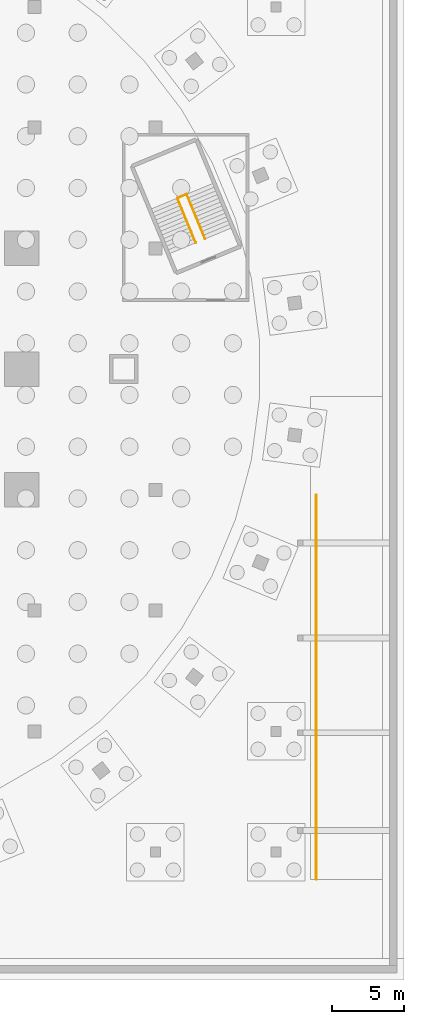
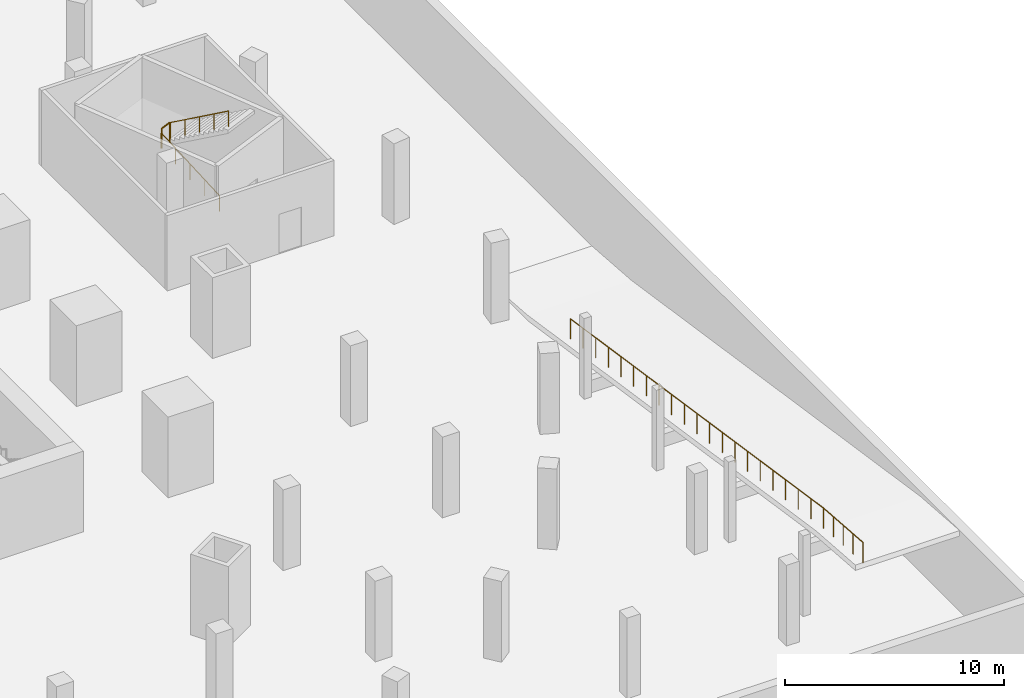
# One storey, part 11 of 12: 4 railings.
"""IFC4 building model written with IfcOpenShell, lengths in metres."""

from ifc_helpers import new_model, si_unit, direction, frame, origin, origin_2d, place, context, subcontext, project, spatial, circle, extrude, material, type_object, element, save


model = new_model("IFC4")

# Units and contexts
model_context = context("Model", 3, precision=1e-05, world=origin(), true_north=direction((0.0, 1.0)))
body_context = subcontext(model_context, "Body", "Model", "MODEL_VIEW")
ifc_project = project(units=[si_unit("LENGTHUNIT", "METRE"), si_unit("AREAUNIT", "SQUARE_METRE"), si_unit("VOLUMEUNIT", "CUBIC_METRE"), si_unit("PLANEANGLEUNIT", "RADIAN"), si_unit("MASSUNIT", "GRAM", prefix="KILO")], contexts=[model_context])

# Site, building, storey
site_placement = place(None, origin())
site = spatial("IfcSite", under=ifc_project, at=site_placement, CompositionType="ELEMENT")
building_placement = place(site_placement, origin())
building = spatial("IfcBuilding", under=site, at=building_placement, Name="Golbaran Civic Tower", CompositionType="ELEMENT")
storey_placement = place(building_placement, frame((0.0, 0.0, -13.5)))
storey = spatial("IfcBuildingStorey", under=building, at=storey_placement, Name="B3", CompositionType="ELEMENT", Elevation=-13.5)

# Railings
ifc_material_1 = material(Name="Galvanised steel guard and kerb", Category="steel")
railing_type_1 = type_object("IfcRailingType", Name="RAMP GUARD 1150", PredefinedType="GUARDRAIL", material=ifc_material_1)
railing_1_placement = place(storey_placement, frame((36.39990234375, -35.5, 4.5)))
element("IfcRailing", 1, at=railing_1_placement, inside=storey, type_object=railing_type_1, Name="Car ramp guard B2 to B3", PredefinedType="GUARDRAIL", context=body_context, shape_type="SweptSolid", body=[
    extrude(circle(Radius=0.02392578125, at=origin_2d()), frame((0.0, 0.0, 1.1259765625), z_axis=(0.0, 0.997199057707, -0.074793310581), x_axis=(-1.0, 0.0, 0.0)), (0.0, 0.0, 1.0), 3.610107421875),
    extrude(circle(Radius=0.02392578125, at=origin_2d()), frame((0.0, 3.60009765625, 0.85595703125), z_axis=(0.0, 0.988936505976, -0.148339432208), x_axis=(-1.0, 0.0, 0.0)), (0.0, 0.0, 1.0), 23.39208984375),
    extrude(circle(Radius=0.02099609375, at=origin_2d()), origin(), (0.0, 0.0, 1.0), 1.101806640625),
    extrude(circle(Radius=0.02099609375, at=origin_2d()), frame((0.0, 0.89990234375, -0.0673828125)), (0.0, 0.0, 1.0), 1.101806640625),
    extrude(circle(Radius=0.02099609375, at=origin_2d()), frame((0.0, 1.800048828125, -0.135009765625)), (0.0, 0.0, 1.0), 1.101806640625),
    extrude(circle(Radius=0.02099609375, at=origin_2d()), frame((0.0, 2.7001953125, -0.20263671875)), (0.0, 0.0, 1.0), 1.101806640625),
    extrude(circle(Radius=0.02099609375, at=origin_2d()), frame((0.0, 3.60009765625, -0.27001953125)), (0.0, 0.0, 1.0), 1.101806640625),
    extrude(circle(Radius=0.02099609375, at=origin_2d()), frame((0.0, 4.7568359375, -0.443603515625)), (0.0, 0.0, 1.0), 1.101806640625),
    extrude(circle(Radius=0.02099609375, at=origin_2d()), frame((0.0, 5.913330078125, -0.616943359375)), (0.0, 0.0, 1.0), 1.101806640625),
    extrude(circle(Radius=0.02099609375, at=origin_2d()), frame((0.0, 7.070068359375, -0.79052734375)), (0.0, 0.0, 1.0), 1.101806640625),
    extrude(circle(Radius=0.02099609375, at=origin_2d()), frame((0.0, 8.226806640625, -0.964111328125)), (0.0, 0.0, 1.0), 1.101806640625),
    extrude(circle(Radius=0.02099609375, at=origin_2d()), frame((0.0, 9.38330078125, -1.137451171875)), (0.0, 0.0, 1.0), 1.101806640625),
    extrude(circle(Radius=0.02099609375, at=origin_2d()), frame((0.0, 10.5400390625, -1.31103515625)), (0.0, 0.0, 1.0), 1.101806640625),
    extrude(circle(Radius=0.02099609375, at=origin_2d()), frame((0.0, 11.69677734375, -1.484619140625)), (0.0, 0.0, 1.0), 1.101806640625),
    extrude(circle(Radius=0.02099609375, at=origin_2d()), frame((0.0, 12.853515625, -1.657958984375)), (0.0, 0.0, 1.0), 1.101806640625),
    extrude(circle(Radius=0.02099609375, at=origin_2d()), frame((0.0, 14.010009765625, -1.83154296875)), (0.0, 0.0, 1.0), 1.101806640625),
    extrude(circle(Radius=0.02099609375, at=origin_2d()), frame((0.0, 15.166748046875, -2.0048828125)), (0.0, 0.0, 1.0), 1.101806640625),
    extrude(circle(Radius=0.02099609375, at=origin_2d()), frame((0.0, 16.323486328125, -2.178466796875)), (0.0, 0.0, 1.0), 1.101806640625),
    extrude(circle(Radius=0.02099609375, at=origin_2d()), frame((0.0, 17.47998046875, -2.35205078125)), (0.0, 0.0, 1.0), 1.101806640625),
    extrude(circle(Radius=0.02099609375, at=origin_2d()), frame((0.0, 18.63671875, -2.525390625)), (0.0, 0.0, 1.0), 1.101806640625),
    extrude(circle(Radius=0.02099609375, at=origin_2d()), frame((0.0, 19.79345703125, -2.698974609375)), (0.0, 0.0, 1.0), 1.101806640625),
    extrude(circle(Radius=0.02099609375, at=origin_2d()), frame((0.0, 20.9501953125, -2.87255859375)), (0.0, 0.0, 1.0), 1.101806640625),
    extrude(circle(Radius=0.02099609375, at=origin_2d()), frame((0.0, 22.106689453125, -3.0458984375)), (0.0, 0.0, 1.0), 1.101806640625),
    extrude(circle(Radius=0.02099609375, at=origin_2d()), frame((0.0, 23.263427734375, -3.219482421875)), (0.0, 0.0, 1.0), 1.101806640625),
    extrude(circle(Radius=0.02099609375, at=origin_2d()), frame((0.0, 24.420166015625, -3.39306640625)), (0.0, 0.0, 1.0), 1.101806640625),
    extrude(circle(Radius=0.02099609375, at=origin_2d()), frame((0.0, 25.57666015625, -3.56640625)), (0.0, 0.0, 1.0), 1.101806640625),
    extrude(circle(Radius=0.02099609375, at=origin_2d()), frame((0.0, 26.7333984375, -3.739990234375)), (0.0, 0.0, 1.0), 1.101806640625),
])
ifc_material_2 = material(Name="Steel balustrade", Category="steel")
railing_type_2 = type_object("IfcRailingType", Name="STAIR GUARD 1100", PredefinedType="GUARDRAIL", material=ifc_material_2)
railing_2_placement = place(storey_placement, frame((26.77880859375, 11.914794921875, 2.25)))
element("IfcRailing", 2, at=railing_2_placement, inside=storey, type_object=railing_type_2, Name="Stair P1 well guard half landing B3", PredefinedType="GUARDRAIL", context=body_context, shape_type="SweptSolid", body=[
    extrude(circle(Radius=0.02392578125, at=origin_2d()), frame((0.0, 0.0, 1.076171875), z_axis=(0.923977174173, 0.382447619429, 0.0), x_axis=(-0.382447619429, 0.923977174173, 0.0)), (0.0, 0.0, 1.0), 0.60009765625),
    extrude(circle(Radius=0.02099609375, at=origin_2d()), origin(), (0.0, 0.0, 1.0), 1.052001953125),
    extrude(circle(Radius=0.02099609375, at=origin_2d()), frame((0.554443359375, 0.2294921875, 0.0)), (0.0, 0.0, 1.0), 1.052001953125),
])
ifc_material_3 = material(Name="Stainless steel", Category="steel")
railing_type_3 = type_object("IfcRailingType", Name="STAIR HANDRAIL 900", PredefinedType="HANDRAIL", material=ifc_material_3)
railing_3_placement = place(storey_placement, frame((28.0185546875, 8.79150390625, 0.173095703125)))
element("IfcRailing", 3, at=railing_3_placement, inside=storey, type_object=railing_type_3, Name="Stair P1 handrail flight 1 B3", PredefinedType="HANDRAIL", context=body_context, shape_type="SweptSolid", body=[
    extrude(circle(Radius=0.02392578125, at=origin_2d()), frame((0.0, 0.0, 0.8759765625), z_axis=(-0.32553207776, 0.785862990074, 0.525783441334), x_axis=(-0.923872479269, -0.382700459954, 0.0)), (0.0, 0.0, 1.0), 3.9501953125),
    extrude(circle(Radius=0.02099609375, at=origin_2d()), origin(), (0.0, 0.0, 1.0), 0.851806640625),
    extrude(circle(Radius=0.02099609375, at=origin_2d()), frame((-0.321533203125, 0.776123046875, 0.519287109375)), (0.0, 0.0, 1.0), 0.851806640625),
    extrude(circle(Radius=0.02099609375, at=origin_2d()), frame((-0.64306640625, 1.55224609375, 1.03857421875)), (0.0, 0.0, 1.0), 0.851806640625),
    extrude(circle(Radius=0.02099609375, at=origin_2d()), frame((-0.96435546875, 2.328125, 1.5576171875)), (0.0, 0.0, 1.0), 0.851806640625),
    extrude(circle(Radius=0.02099609375, at=origin_2d()), frame((-1.285888671875, 3.104248046875, 2.076904296875)), (0.0, 0.0, 1.0), 0.851806640625),
])
railing_4_placement = place(storey_placement, frame((27.37939453125, 12.16357421875, 2.423095703125)))
element("IfcRailing", 4, at=railing_4_placement, inside=storey, type_object=railing_type_3, Name="Stair P1 handrail flight 2 B3", PredefinedType="HANDRAIL", context=body_context, shape_type="SweptSolid", body=[
    extrude(circle(Radius=0.02392578125, at=origin_2d()), frame((0.0, 0.0, 0.8759765625), z_axis=(0.32553207776, -0.785862990074, 0.525783441334), x_axis=(0.923872479269, 0.382700459954, 0.0)), (0.0, 0.0, 1.0), 3.9501953125),
    extrude(circle(Radius=0.02099609375, at=origin_2d()), origin(), (0.0, 0.0, 1.0), 0.851806640625),
    extrude(circle(Radius=0.02099609375, at=origin_2d()), frame((0.321533203125, -0.776123046875, 0.519287109375)), (0.0, 0.0, 1.0), 0.851806640625),
    extrude(circle(Radius=0.02099609375, at=origin_2d()), frame((0.64306640625, -1.55224609375, 1.03857421875)), (0.0, 0.0, 1.0), 0.851806640625),
    extrude(circle(Radius=0.02099609375, at=origin_2d()), frame((0.96435546875, -2.328125, 1.5576171875)), (0.0, 0.0, 1.0), 0.851806640625),
    extrude(circle(Radius=0.02099609375, at=origin_2d()), frame((1.285888671875, -3.104248046875, 2.076904296875)), (0.0, 0.0, 1.0), 0.851806640625),
])

save(model, "model.ifc")
